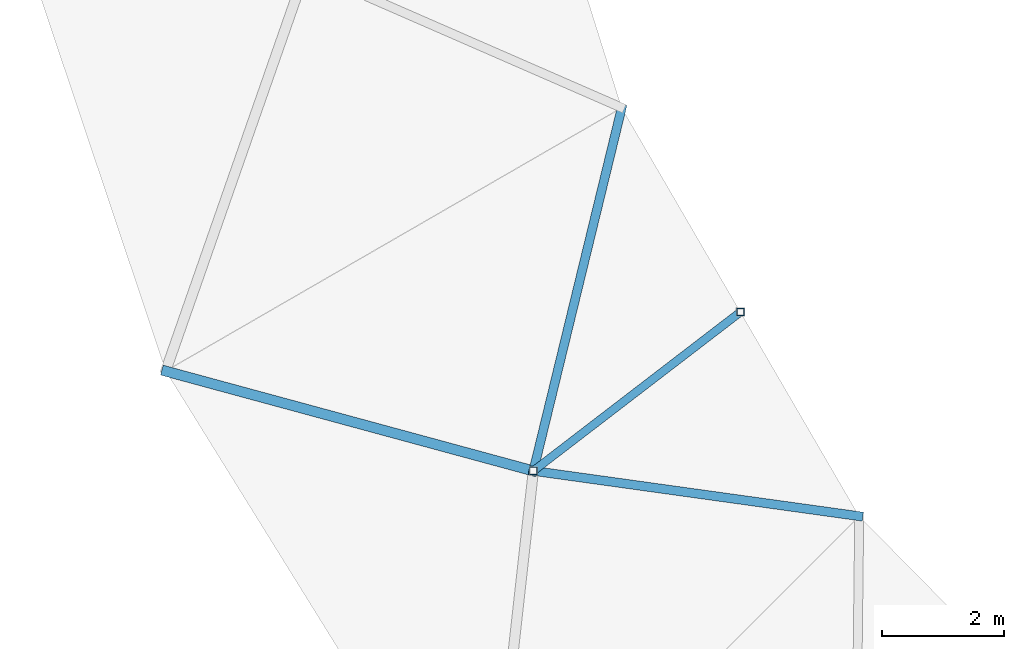
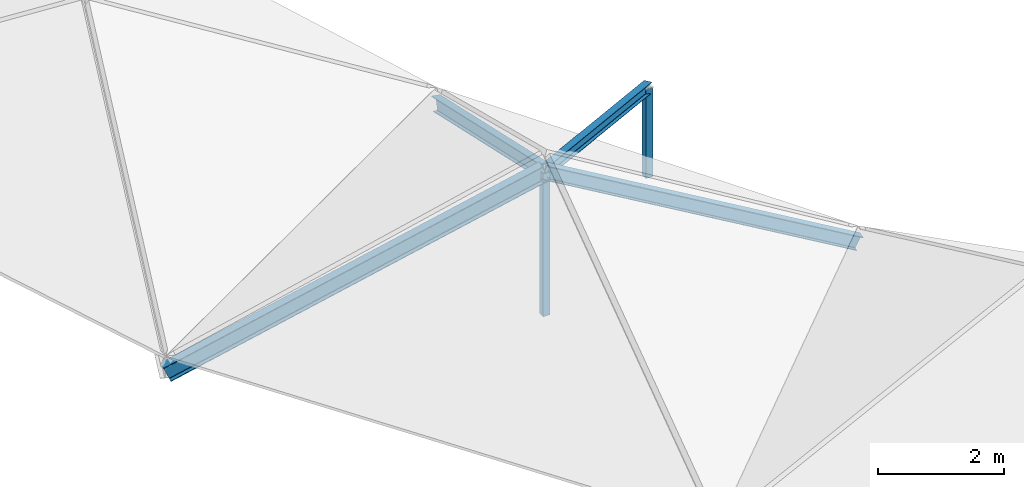
# One storey, part 23 of 106: 6 members.
"""IFC4 building model written with IfcOpenShell, lengths in metres."""

from ifc_helpers import new_model, si_unit, direction, frame, origin, origin_2d, place, context, subcontext, project, spatial, hollow_rectangle, i_section, extrude, material, material_profile, profile_set, type_object, element, save


model = new_model("IFC4")

# Units and contexts
model_context = context("Model", 3, precision=1e-05, world=origin(), true_north=direction((0.0, 1.0)))
body_context = subcontext(model_context, "Body", "Model", "MODEL_VIEW")
ifc_project = project(units=[si_unit("LENGTHUNIT", "METRE"), si_unit("AREAUNIT", "SQUARE_METRE"), si_unit("VOLUMEUNIT", "CUBIC_METRE"), si_unit("PLANEANGLEUNIT", "RADIAN"), si_unit("MASSUNIT", "GRAM", prefix="KILO")], contexts=[model_context])

# Site, building, storey
site_placement = place(None, origin())
site = spatial("IfcSite", under=ifc_project, at=site_placement, CompositionType="ELEMENT")
building_placement = place(site_placement, origin())
building = spatial("IfcBuilding", under=site, at=building_placement, Name="Karori Crest Natural Sciences Institute", CompositionType="ELEMENT")
storey_placement = place(building_placement, frame((0.0, 0.0, 25.89990234375)))
storey = spatial("IfcBuildingStorey", under=building, at=storey_placement, Name="L06", CompositionType="ELEMENT", Elevation=25.89990234375)

# Members
ifc_material_1 = material(Name="Structural steel AS/NZS 3679.1 Grade 350", Category="steel")
ifc_material_profile_1 = material_profile(ifc_material_1, i_section(OverallWidth=0.166015625, OverallDepth=0.306884765625, WebThickness=0.006591796875, FlangeThickness=0.01171875, FilletRadius=0.010986328125, at=origin_2d()), Name="310UB46.2")
ifc_profile_set_1 = profile_set([ifc_material_profile_1], Name="Structural steel AS/NZS 3679.1 Grade 350")
member_type_1 = type_object("IfcMemberType", Name="MT-06", PredefinedType="RAFTER", material=ifc_profile_set_1)
member_1_placement = place(storey_placement, frame((37.8212890625, 29.5, -0.260009765625), z_axis=(0.880801723809, -0.23905633514, 0.408705752302), x_axis=(0.26193183546, 0.965086376224, 0.0)))
element("IfcMember", 1, at=member_1_placement, inside=storey, type_object=member_type_1, Name="Member M-0129", PredefinedType="RAFTER", context=body_context, shape_type="SweptSolid", body=[
    extrude(i_section(OverallWidth=0.166015625, OverallDepth=0.306884765625, WebThickness=0.006591796875, FlangeThickness=0.01171875, FilletRadius=0.010986328125, at=origin_2d()), origin(), (0.0, 0.0, 1.0), 6.81689453125),
])
ifc_material_profile_2 = material_profile(ifc_material_1, i_section(OverallWidth=0.14599609375, OverallDepth=0.256103515625, WebThickness=0.00634765625, FlangeThickness=0.010986328125, FilletRadius=0.009033203125, at=origin_2d()), Name="250UB37.3")
ifc_profile_set_2 = profile_set([ifc_material_profile_2], Name="Structural steel AS/NZS 3679.1 Grade 350")
member_type_2 = type_object("IfcMemberType", Name="MT-07", PredefinedType="RAFTER", material=ifc_profile_set_2)
member_2_placement = place(storey_placement, frame((45.26904296875, 33.800048828125, -0.260009765625), z_axis=(-0.215146540248, -0.883876720153, 0.415299783036), x_axis=(0.971629848575, -0.236506738504, 0.0)))
element("IfcMember", 2, at=member_2_placement, inside=storey, type_object=member_type_2, Name="Member M-0131", PredefinedType="RAFTER", context=body_context, shape_type="SweptSolid", body=[
    extrude(i_section(OverallWidth=0.14599609375, OverallDepth=0.256103515625, WebThickness=0.00634765625, FlangeThickness=0.010986328125, FilletRadius=0.009033203125, at=origin_2d()), origin(), (0.0, 0.0, 1.0), 6.708740234375),
])
member_3_placement = place(storey_placement, frame((49.146484375, 27.131103515625, -0.260009765625), z_axis=(-0.87926152796, 0.122162242207, 0.460408027763), x_axis=(-0.13761543574, -0.990485735307, 0.0)))
element("IfcMember", 3, at=member_3_placement, inside=storey, type_object=member_type_2, Name="Member M-0132", PredefinedType="RAFTER", context=body_context, shape_type="SweptSolid", body=[
    extrude(i_section(OverallWidth=0.14599609375, OverallDepth=0.256103515625, WebThickness=0.00634765625, FlangeThickness=0.010986328125, FilletRadius=0.009033203125, at=origin_2d()), origin(), (0.0, 0.0, 1.0), 6.051513671875),
])
ifc_material_profile_3 = material_profile(ifc_material_1, i_section(OverallWidth=0.133056640625, OverallDepth=0.202880859375, WebThickness=0.005859375, FlangeThickness=0.0078125, FilletRadius=0.009033203125, at=origin_2d()), Name="200UB25.4")
ifc_profile_set_3 = profile_set([ifc_material_profile_3], Name="Structural steel AS/NZS 3679.1 Grade 350")
member_type_3 = type_object("IfcMemberType", Name="MT-09", PredefinedType="PURLIN", material=ifc_profile_set_3)
member_4_placement = place(storey_placement, frame((47.207763671875, 30.465576171875, 1.39208984375), z_axis=(-0.766684208987, -0.588309618244, 0.257074146448), x_axis=(0.608769331465, -0.793347276461, 0.0)))
element("IfcMember", 4, at=member_4_placement, inside=storey, type_object=member_type_3, Name="Member M-0133", PredefinedType="PURLIN", context=body_context, shape_type="SweptSolid", body=[
    extrude(i_section(OverallWidth=0.133056640625, OverallDepth=0.202880859375, WebThickness=0.005859375, FlangeThickness=0.0078125, FilletRadius=0.009033203125, at=origin_2d()), origin(), (0.0, 0.0, 1.0), 4.411376953125),
])
ifc_material_2 = material(Name="Hollow structural steel AS/NZS 1163 Grade C350", Category="steel")
ifc_material_profile_4 = material_profile(ifc_material_2, hollow_rectangle(XDim=0.125, YDim=0.125, WallThickness=0.006103515625, at=origin_2d()), Name="SHS125x125x6")
ifc_profile_set_4 = profile_set([ifc_material_profile_4], Name="Hollow structural steel AS/NZS 1163 Grade C350")
member_type_4 = type_object("IfcMemberType", Name="MT-20", PredefinedType="STRUT", material=ifc_profile_set_4)
member_5_placement = place(storey_placement, frame((43.82568359375, 27.870361328125, -0.244873046875), z_axis=(0.0, 0.0, 1.0), x_axis=(1.0, 0.0, 0.0)))
element("IfcMember", 5, at=member_5_placement, inside=storey, type_object=member_type_4, Name="Member M-0127", PredefinedType="STRUT", context=body_context, shape_type="SweptSolid", body=[
    extrude(hollow_rectangle(XDim=0.125, YDim=0.125, WallThickness=0.006103515625, at=origin_2d()), origin(), (0.0, 0.0, 1.0), 2.77099609375),
])
member_6_placement = place(storey_placement, frame((47.207763671875, 30.465576171875, -0.322998046875), z_axis=(0.0, 0.0, 1.0), x_axis=(1.0, 0.0, 0.0)))
element("IfcMember", 6, at=member_6_placement, inside=storey, type_object=member_type_4, Name="Member M-0128", PredefinedType="STRUT", context=body_context, shape_type="SweptSolid", body=[
    extrude(hollow_rectangle(XDim=0.125, YDim=0.125, WallThickness=0.006103515625, at=origin_2d()), origin(), (0.0, 0.0, 1.0), 1.715087890625),
])

save(model, "model.ifc")
